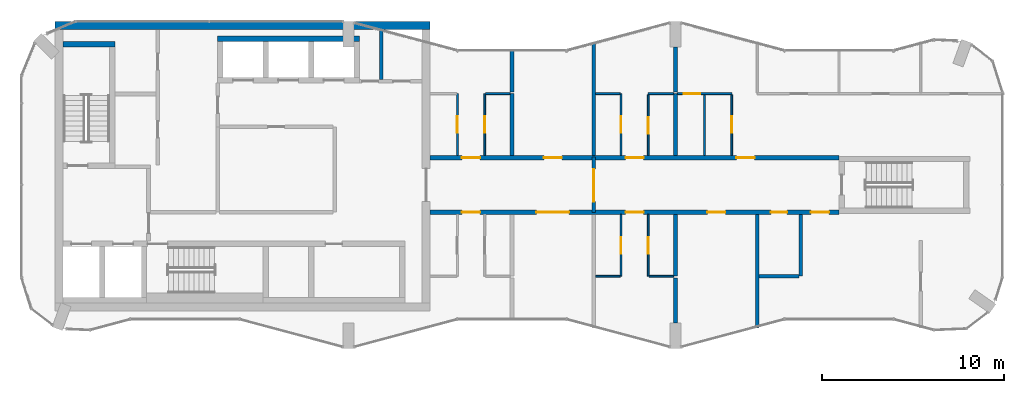
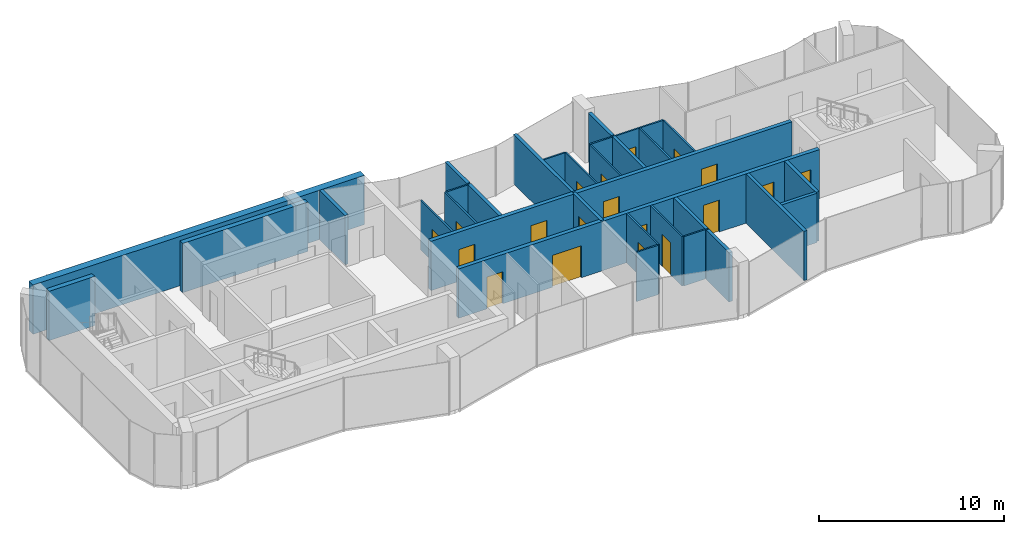
# One storey, part 8 of 10: 31 walls, 19 doors, 19 openings.
"""IFC4 building model written with IfcOpenShell, lengths in metres."""

from ifc_helpers import new_model, si_unit, direction, frame, frame_2d, origin, place, context, subcontext, project, spatial, rectangle, extrude, material, layer, layer_set, type_object, element, fill, save


model = new_model("IFC4")

# Units and contexts
model_context = context("Model", 3, precision=1e-05, world=origin(), true_north=direction((0.0, 1.0)))
body_context = subcontext(model_context, "Body", "Model", "MODEL_VIEW")
ifc_project = project(units=[si_unit("LENGTHUNIT", "METRE"), si_unit("AREAUNIT", "SQUARE_METRE"), si_unit("VOLUMEUNIT", "CUBIC_METRE"), si_unit("PLANEANGLEUNIT", "RADIAN"), si_unit("MASSUNIT", "GRAM", prefix="KILO")], contexts=[model_context])

# Site, building, storey
site_placement = place(None, origin())
site = spatial("IfcSite", under=ifc_project, at=site_placement, CompositionType="ELEMENT")
building_placement = place(site_placement, origin())
building = spatial("IfcBuilding", under=site, at=building_placement, Name="Plateau Cross Towers", CompositionType="ELEMENT")
storey_placement = place(building_placement, frame((0.0, 0.0, 256.39990234375)))
storey = spatial("IfcBuildingStorey", under=building, at=storey_placement, Name="L67", CompositionType="ELEMENT", Elevation=256.39990234375)

# Walls
ifc_material_1 = material(Name="Concrete block, plastered both sides", Category="concrete")
ifc_layer_1 = layer(ifc_material_1, 0.199951171875)
ifc_layer_set_1 = layer_set([ifc_layer_1], Name="Concrete block, plastered both sides")
wall_type_1 = type_object("IfcWallType", Name="Core partition 200", PredefinedType="PARTITIONING", material=ifc_layer_set_1)
wall_1_placement = place(storey_placement, frame((19.800048828125, 14.800048828125, 0.0), z_axis=(0.0, 0.0, 1.0), x_axis=(0.0, 1.0, 0.0)))
element("IfcWall", 1, at=wall_1_placement, inside=storey, type_object=wall_type_1, Name="Core partition", PredefinedType="PARTITIONING", context=body_context, shape_type="SweptSolid", body=[
    extrude(rectangle(XDim=2.75, YDim=0.199951171875, at=frame_2d((1.375, 0.0))), origin(), (0.0, 0.0, 1.0), 3.25),
])
ifc_material_2 = material(Name="Concrete C60/75", Category="concrete")
ifc_layer_2 = layer(ifc_material_2, 0.300048828125)
ifc_layer_set_2 = layer_set([ifc_layer_2], Name="Concrete C60/75")
wall_type_2 = type_object("IfcWallType", Name="Core shaft wall 300", PredefinedType="SHEAR", material=ifc_layer_set_2)
wall_2_placement = place(storey_placement, frame((2.300048828125, 16.75, 0.0), z_axis=(0.0, 0.0, 1.0), x_axis=(1.0, 0.0, 0.0)))
element("IfcWall", 2, at=wall_2_placement, inside=storey, type_object=wall_type_2, Name="A-st1-N@L67", PredefinedType="SHEAR", context=body_context, shape_type="SweptSolid", body=[
    extrude(rectangle(XDim=2.849853515625, YDim=0.300048828125, at=frame_2d((1.4248046875, 0.0))), origin(), (0.0, 0.0, 1.0), 3.25),
])
wall_3_placement = place(storey_placement, frame((10.800048828125, 17.050048828125, 0.0), z_axis=(0.0, 0.0, 1.0), x_axis=(1.0, 0.0, 0.0)))
element("IfcWall", 3, at=wall_3_placement, inside=storey, type_object=wall_type_2, Name="A-nb-back@L67", PredefinedType="SHEAR", context=body_context, shape_type="SweptSolid", body=[
    extrude(rectangle(XDim=7.800048828125, YDim=0.300048828125, at=frame_2d((3.89990234375, 0.0))), origin(), (0.0, 0.0, 1.0), 3.25),
])
ifc_layer_3 = layer(ifc_material_2, 0.449951171875)
ifc_layer_set_3 = layer_set([ifc_layer_3], Name="Concrete C60/75")
wall_type_3 = type_object("IfcWallType", Name="Core shell wall 450", PredefinedType="SHEAR", material=ifc_layer_set_3)
wall_4_placement = place(storey_placement, frame((1.85009765625, 17.77490234375, 0.0), z_axis=(0.0, 0.0, 1.0), x_axis=(1.0, 0.0, 0.0)))
element("IfcWall", 4, at=wall_4_placement, inside=storey, type_object=wall_type_3, Name="A-core-N@L67", PredefinedType="SHEAR", context=body_context, shape_type="SweptSolid", body=[
    extrude(rectangle(XDim=20.64990234375, YDim=0.449951171875, at=frame_2d((10.324951171875, 0.0))), origin(), (0.0, 0.0, 1.0), 3.25),
])

# Wall, openings, doors
ifc_layer_4 = layer(ifc_material_2, 0.25)
ifc_layer_set_4 = layer_set([ifc_layer_4], Name="Concrete C60/75")
wall_type_4 = type_object("IfcWallType", Name="Corridor wall 250", PredefinedType="SHEAR", material=ifc_layer_set_4)
wall_5_placement = place(storey_placement, frame((22.5, 7.5, 0.0), z_axis=(0.0, 0.0, 1.0), x_axis=(1.0, 0.0, 0.0)))
wall_5 = element("IfcWall", 5, at=wall_5_placement, inside=storey, type_object=wall_type_4, Name="A-cw-S1@L67", PredefinedType="SHEAR", context=body_context, shape_type="SweptSolid", body=[
    extrude(rectangle(XDim=22.5, YDim=0.25, at=frame_2d((11.25, 0.0))), origin(), (0.0, 0.0, 1.0), 3.25),
])
opening_1_placement = place(wall_5_placement, frame((1.75, 0.0, 0.0)))
opening_1 = element("IfcOpeningElement", 6, at=opening_1_placement, cuts=wall_5, Name="Opening 67-01", PredefinedType="OPENING", context=body_context, shape_type="SweptSolid", body=[
    extrude(rectangle(XDim=1.0, YDim=2.10009765625, at=frame_2d((0.5, 1.050048828125))), frame((0.0, 0.135009765625, 0.0), z_axis=(0.0, -1.0, 0.0), x_axis=(1.0, 0.0, 0.0)), (0.0, 0.0, 1.0), 0.27001953125),
])
opening_2_placement = place(wall_5_placement, frame((5.85009765625, 0.0, 0.0)))
opening_2 = element("IfcOpeningElement", 7, at=opening_2_placement, cuts=wall_5, Name="Opening 67-02", PredefinedType="OPENING", context=body_context, shape_type="SweptSolid", body=[
    extrude(rectangle(XDim=1.800048828125, YDim=2.10009765625, at=frame_2d((0.89990234375, 1.050048828125))), frame((0.0, 0.135009765625, 0.0), z_axis=(0.0, -1.0, 0.0), x_axis=(1.0, 0.0, 0.0)), (0.0, 0.0, 1.0), 0.27001953125),
])
opening_3_placement = place(wall_5_placement, frame((10.75, 0.0, 0.0)))
opening_3 = element("IfcOpeningElement", 8, at=opening_3_placement, cuts=wall_5, Name="Opening 67-03", PredefinedType="OPENING", context=body_context, shape_type="SweptSolid", body=[
    extrude(rectangle(XDim=1.0, YDim=2.10009765625, at=frame_2d((0.5, 1.050048828125))), frame((0.0, 0.135009765625, 0.0), z_axis=(0.0, -1.0, 0.0), x_axis=(1.0, 0.0, 0.0)), (0.0, 0.0, 1.0), 0.27001953125),
])
opening_4_placement = place(wall_5_placement, frame((15.25, 0.0, 0.0)))
opening_4 = element("IfcOpeningElement", 9, at=opening_4_placement, cuts=wall_5, Name="Opening 67-04", PredefinedType="OPENING", context=body_context, shape_type="SweptSolid", body=[
    extrude(rectangle(XDim=1.0, YDim=2.10009765625, at=frame_2d((0.5, 1.050048828125))), frame((0.0, 0.135009765625, 0.0), z_axis=(0.0, -1.0, 0.0), x_axis=(1.0, 0.0, 0.0)), (0.0, 0.0, 1.0), 0.27001953125),
])
opening_5_placement = place(wall_5_placement, frame((18.75, 0.0, 0.0)))
opening_5 = element("IfcOpeningElement", 10, at=opening_5_placement, cuts=wall_5, Name="Opening 67-05", PredefinedType="OPENING", context=body_context, shape_type="SweptSolid", body=[
    extrude(rectangle(XDim=0.89990234375, YDim=2.10009765625, at=frame_2d((0.449951171875, 1.050048828125))), frame((0.0, 0.135009765625, 0.0), z_axis=(0.0, -1.0, 0.0), x_axis=(1.0, 0.0, 0.0)), (0.0, 0.0, 1.0), 0.27001953125),
])
opening_6_placement = place(wall_5_placement, frame((20.949951171875, 0.0, 0.0)))
opening_6 = element("IfcOpeningElement", 11, at=opening_6_placement, cuts=wall_5, Name="Opening 67-06", PredefinedType="OPENING", context=body_context, shape_type="SweptSolid", body=[
    extrude(rectangle(XDim=1.0, YDim=2.10009765625, at=frame_2d((0.5, 1.050048828125))), frame((0.0, 0.135009765625, 0.0), z_axis=(0.0, -1.0, 0.0), x_axis=(1.0, 0.0, 0.0)), (0.0, 0.0, 1.0), 0.27001953125),
])
ifc_material_3 = material(Name="Timber, fire-resisting leaf", Category="wood")
door_type_1 = type_object("IfcDoorType", Name="Flat entrance door 1000", OperationType="NOTDEFINED", PredefinedType="DOOR", material=ifc_material_3)
door_1_placement = place(opening_1_placement, origin())
door_1 = element("IfcDoor", 12, at=door_1_placement, inside=storey, type_object=door_type_1, Name="Door 67-01", OperationType="SINGLE_SWING_LEFT", OverallHeight=2.10009765625, OverallWidth=1.0, PredefinedType="DOOR", context=body_context, shape_type="SweptSolid", body=[
    extrude(rectangle(XDim=1.0, YDim=2.10009765625, at=frame_2d((0.5, 1.050048828125))), frame((0.0, 0.02490234375, 0.0), z_axis=(0.0, -1.0, 0.0), x_axis=(1.0, 0.0, 0.0)), (0.0, 0.0, 1.0), 0.050048828125),
])
fill(opening_1, door_1)
door_2_placement = place(opening_3_placement, origin())
door_2 = element("IfcDoor", 13, at=door_2_placement, inside=storey, type_object=door_type_1, Name="Door 67-03", OperationType="SINGLE_SWING_LEFT", OverallHeight=2.10009765625, OverallWidth=1.0, PredefinedType="DOOR", context=body_context, shape_type="SweptSolid", body=[
    extrude(rectangle(XDim=1.0, YDim=2.10009765625, at=frame_2d((0.5, 1.050048828125))), frame((0.0, 0.02490234375, 0.0), z_axis=(0.0, -1.0, 0.0), x_axis=(1.0, 0.0, 0.0)), (0.0, 0.0, 1.0), 0.050048828125),
])
fill(opening_3, door_2)
door_3_placement = place(opening_4_placement, origin())
door_3 = element("IfcDoor", 14, at=door_3_placement, inside=storey, type_object=door_type_1, Name="Door 67-04", OperationType="SINGLE_SWING_RIGHT", OverallHeight=2.10009765625, OverallWidth=1.0, PredefinedType="DOOR", context=body_context, shape_type="SweptSolid", body=[
    extrude(rectangle(XDim=1.0, YDim=2.10009765625, at=frame_2d((0.5, 1.050048828125))), frame((0.0, 0.02490234375, 0.0), z_axis=(0.0, -1.0, 0.0), x_axis=(1.0, 0.0, 0.0)), (0.0, 0.0, 1.0), 0.050048828125),
])
fill(opening_4, door_3)
door_4_placement = place(opening_6_placement, origin())
door_4 = element("IfcDoor", 15, at=door_4_placement, inside=storey, type_object=door_type_1, Name="Door 67-06", OperationType="SINGLE_SWING_RIGHT", OverallHeight=2.10009765625, OverallWidth=1.0, PredefinedType="DOOR", context=body_context, shape_type="SweptSolid", body=[
    extrude(rectangle(XDim=1.0, YDim=2.10009765625, at=frame_2d((0.5, 1.050048828125))), frame((0.0, 0.02490234375, 0.0), z_axis=(0.0, -1.0, 0.0), x_axis=(1.0, 0.0, 0.0)), (0.0, 0.0, 1.0), 0.050048828125),
])
fill(opening_6, door_4)
ifc_material_4 = material(Name="Timber, fire-resisting leaves", Category="wood")
door_type_2 = type_object("IfcDoorType", Name="Flat floor fire door pair 1800", OperationType="NOTDEFINED", PredefinedType="DOOR", material=ifc_material_4)
door_5_placement = place(opening_2_placement, origin())
door_5 = element("IfcDoor", 16, at=door_5_placement, inside=storey, type_object=door_type_2, Name="Door 67-02", OperationType="SINGLE_SWING_LEFT", OverallHeight=2.10009765625, OverallWidth=1.800048828125, PredefinedType="DOOR", context=body_context, shape_type="SweptSolid", body=[
    extrude(rectangle(XDim=1.800048828125, YDim=2.10009765625, at=frame_2d((0.89990234375, 1.050048828125))), frame((0.0, 0.02490234375, 0.0), z_axis=(0.0, -1.0, 0.0), x_axis=(1.0, 0.0, 0.0)), (0.0, 0.0, 1.0), 0.050048828125),
])
fill(opening_2, door_5)
door_type_3 = type_object("IfcDoorType", Name="Flat floor service door 900", OperationType="NOTDEFINED", PredefinedType="DOOR", material=ifc_material_3)
door_6_placement = place(opening_5_placement, origin())
door_6 = element("IfcDoor", 17, at=door_6_placement, inside=storey, type_object=door_type_3, Name="Door 67-05", OperationType="SINGLE_SWING_RIGHT", OverallHeight=2.10009765625, OverallWidth=0.89990234375, PredefinedType="DOOR", context=body_context, shape_type="SweptSolid", body=[
    extrude(rectangle(XDim=0.89990234375, YDim=2.10009765625, at=frame_2d((0.449951171875, 1.050048828125))), frame((0.0, 0.02490234375, 0.0), z_axis=(0.0, -1.0, 0.0), x_axis=(1.0, 0.0, 0.0)), (0.0, 0.0, 1.0), 0.050048828125),
])
fill(opening_5, door_6)

wall_6_placement = place(storey_placement, frame((22.5, 10.5, 0.0), z_axis=(0.0, 0.0, 1.0), x_axis=(1.0, 0.0, 0.0)))
wall_6 = element("IfcWall", 18, at=wall_6_placement, inside=storey, type_object=wall_type_4, Name="A-cw-S2@L67", PredefinedType="SHEAR", context=body_context, shape_type="SweptSolid", body=[
    extrude(rectangle(XDim=22.5, YDim=0.25, at=frame_2d((11.25, 0.0))), origin(), (0.0, 0.0, 1.0), 3.25),
])
opening_7_placement = place(wall_6_placement, frame((1.75, 0.0, 0.0)))
opening_7 = element("IfcOpeningElement", 19, at=opening_7_placement, cuts=wall_6, Name="Opening 67-07", PredefinedType="OPENING", context=body_context, shape_type="SweptSolid", body=[
    extrude(rectangle(XDim=1.0, YDim=2.10009765625, at=frame_2d((0.5, 1.050048828125))), frame((0.0, 0.135009765625, 0.0), z_axis=(0.0, -1.0, 0.0), x_axis=(1.0, 0.0, 0.0)), (0.0, 0.0, 1.0), 0.27001953125),
])
opening_8_placement = place(wall_6_placement, frame((6.25, 0.0, 0.0)))
opening_8 = element("IfcOpeningElement", 20, at=opening_8_placement, cuts=wall_6, Name="Opening 67-08", PredefinedType="OPENING", context=body_context, shape_type="SweptSolid", body=[
    extrude(rectangle(XDim=1.0, YDim=2.10009765625, at=frame_2d((0.5, 1.050048828125))), frame((0.0, 0.135009765625, 0.0), z_axis=(0.0, -1.0, 0.0), x_axis=(1.0, 0.0, 0.0)), (0.0, 0.0, 1.0), 0.27001953125),
])
opening_9_placement = place(wall_6_placement, frame((10.75, 0.0, 0.0)))
opening_9 = element("IfcOpeningElement", 21, at=opening_9_placement, cuts=wall_6, Name="Opening 67-09", PredefinedType="OPENING", context=body_context, shape_type="SweptSolid", body=[
    extrude(rectangle(XDim=1.0, YDim=2.10009765625, at=frame_2d((0.5, 1.050048828125))), frame((0.0, 0.135009765625, 0.0), z_axis=(0.0, -1.0, 0.0), x_axis=(1.0, 0.0, 0.0)), (0.0, 0.0, 1.0), 0.27001953125),
])
opening_10_placement = place(wall_6_placement, frame((16.85009765625, 0.0, 0.0)))
opening_10 = element("IfcOpeningElement", 22, at=opening_10_placement, cuts=wall_6, Name="Opening 67-10", PredefinedType="OPENING", context=body_context, shape_type="SweptSolid", body=[
    extrude(rectangle(XDim=1.0, YDim=2.10009765625, at=frame_2d((0.5, 1.050048828125))), frame((0.0, 0.135009765625, 0.0), z_axis=(0.0, -1.0, 0.0), x_axis=(1.0, 0.0, 0.0)), (0.0, 0.0, 1.0), 0.27001953125),
])
door_7_placement = place(opening_7_placement, origin())
door_7 = element("IfcDoor", 23, at=door_7_placement, inside=storey, type_object=door_type_1, Name="Door 67-07", OperationType="SINGLE_SWING_LEFT", OverallHeight=2.10009765625, OverallWidth=1.0, PredefinedType="DOOR", context=body_context, shape_type="SweptSolid", body=[
    extrude(rectangle(XDim=1.0, YDim=2.10009765625, at=frame_2d((0.5, 1.050048828125))), frame((0.0, 0.02490234375, 0.0), z_axis=(0.0, -1.0, 0.0), x_axis=(1.0, 0.0, 0.0)), (0.0, 0.0, 1.0), 0.050048828125),
])
fill(opening_7, door_7)
door_8_placement = place(opening_8_placement, origin())
door_8 = element("IfcDoor", 24, at=door_8_placement, inside=storey, type_object=door_type_1, Name="Door 67-08", OperationType="SINGLE_SWING_LEFT", OverallHeight=2.10009765625, OverallWidth=1.0, PredefinedType="DOOR", context=body_context, shape_type="SweptSolid", body=[
    extrude(rectangle(XDim=1.0, YDim=2.10009765625, at=frame_2d((0.5, 1.050048828125))), frame((0.0, 0.02490234375, 0.0), z_axis=(0.0, -1.0, 0.0), x_axis=(1.0, 0.0, 0.0)), (0.0, 0.0, 1.0), 0.050048828125),
])
fill(opening_8, door_8)
door_9_placement = place(opening_9_placement, origin())
door_9 = element("IfcDoor", 25, at=door_9_placement, inside=storey, type_object=door_type_1, Name="Door 67-09", OperationType="SINGLE_SWING_LEFT", OverallHeight=2.10009765625, OverallWidth=1.0, PredefinedType="DOOR", context=body_context, shape_type="SweptSolid", body=[
    extrude(rectangle(XDim=1.0, YDim=2.10009765625, at=frame_2d((0.5, 1.050048828125))), frame((0.0, 0.02490234375, 0.0), z_axis=(0.0, -1.0, 0.0), x_axis=(1.0, 0.0, 0.0)), (0.0, 0.0, 1.0), 0.050048828125),
])
fill(opening_9, door_9)
door_10_placement = place(opening_10_placement, origin())
door_10 = element("IfcDoor", 26, at=door_10_placement, inside=storey, type_object=door_type_1, Name="Door 67-10", OperationType="SINGLE_SWING_RIGHT", OverallHeight=2.10009765625, OverallWidth=1.0, PredefinedType="DOOR", context=body_context, shape_type="SweptSolid", body=[
    extrude(rectangle(XDim=1.0, YDim=2.10009765625, at=frame_2d((0.5, 1.050048828125))), frame((0.0, 0.02490234375, 0.0), z_axis=(0.0, -1.0, 0.0), x_axis=(1.0, 0.0, 0.0)), (0.0, 0.0, 1.0), 0.050048828125),
])
fill(opening_10, door_10)

# Walls
ifc_material_5 = material(Name="Gypsum board on steel studs", Category="steel")
ifc_layer_5 = layer(ifc_material_5, 0.10009765625)
ifc_layer_set_5 = layer_set([ifc_layer_5], Name="Gypsum board on steel studs")
wall_type_5 = type_object("IfcWallType", Name="Flat partition 100", PredefinedType="PARTITIONING", material=ifc_layer_set_5)
for number, where, z_axis, x_axis, name in (
    (27, (31.60009765625, 3.97509765625, 0.0), (0.0, 0.0, 1.0), (1.0, 0.0, 0.0), "Partition wall"),
    (28, (34.550048828125, 3.97509765625, 0.0), (0.0, 0.0, 1.0), (1.0, 0.0, 0.0), "Partition wall"),
    (29, (26.89990234375, 14.02490234375, 0.0), (0.0, 0.0, 1.0), (-1.0, 0.0, 0.0), "Partition wall"),
    (30, (32.949951171875, 14.02490234375, 0.0), (0.0, 0.0, 1.0), (-1.0, 0.0, 0.0), "Partition wall"),
):
    element("IfcWall", number, at=place(storey_placement, frame(where, z_axis=z_axis, x_axis=x_axis)), inside=storey, type_object=wall_type_5, Name=name, PredefinedType="PARTITIONING", context=body_context, shape_type="SweptSolid", body=[
        extrude(rectangle(XDim=1.349853515625, YDim=0.10009765625, at=frame_2d((0.6748046875, 0.0))), origin(), (0.0, 0.0, 1.0), 3.25),
    ])
wall_7_placement = place(storey_placement, frame((35.89990234375, 14.02490234375, 0.0), z_axis=(0.0, 0.0, 1.0), x_axis=(-1.0, 0.0, 0.0)))
element("IfcWall", 31, at=wall_7_placement, inside=storey, type_object=wall_type_5, Name="Partition wall", PredefinedType="PARTITIONING", context=body_context, shape_type="SweptSolid", body=[
    extrude(rectangle(XDim=1.39990234375, YDim=0.10009765625, at=frame_2d((0.699951171875, 0.0))), origin(), (0.0, 0.0, 1.0), 3.25),
])

# Wall, opening, door
wall_8_placement = place(storey_placement, frame((39.10009765625, 14.02490234375, 0.0), z_axis=(0.0, 0.0, 1.0), x_axis=(-1.0, 0.0, 0.0)))
wall_8 = element("IfcWall", 32, at=wall_8_placement, inside=storey, type_object=wall_type_5, Name="Partition wall", PredefinedType="PARTITIONING", context=body_context, shape_type="SweptSolid", body=[
    extrude(rectangle(XDim=3.0, YDim=0.10009765625, at=frame_2d((1.5, 0.0))), origin(), (0.0, 0.0, 1.0), 3.25),
])
opening_11_placement = place(wall_8_placement, frame((1.75, 0.0, 0.0)))
opening_11 = element("IfcOpeningElement", 33, at=opening_11_placement, cuts=wall_8, Name="Opening 67-21", PredefinedType="OPENING", context=body_context, shape_type="SweptSolid", body=[
    extrude(rectangle(XDim=0.89990234375, YDim=2.10009765625, at=frame_2d((0.449951171875, 1.050048828125))), frame((0.0, 0.06005859375, 0.0), z_axis=(0.0, -1.0, 0.0), x_axis=(1.0, 0.0, 0.0)), (0.0, 0.0, 1.0), 0.1201171875),
])
ifc_material_6 = material(Name="Timber leaf", Category="wood")
door_type_4 = type_object("IfcDoorType", Name="Flat room door 900", OperationType="NOTDEFINED", PredefinedType="DOOR", material=ifc_material_6)
door_11_placement = place(opening_11_placement, origin())
door_11 = element("IfcDoor", 34, at=door_11_placement, inside=storey, type_object=door_type_4, Name="Door 67-21", OperationType="SINGLE_SWING_RIGHT", OverallHeight=2.10009765625, OverallWidth=0.89990234375, PredefinedType="DOOR", context=body_context, shape_type="SweptSolid", body=[
    extrude(rectangle(XDim=0.89990234375, YDim=2.10009765625, at=frame_2d((0.449951171875, 1.050048828125))), frame((0.0, 0.02490234375, 0.0), z_axis=(0.0, -1.0, 0.0), x_axis=(1.0, 0.0, 0.0)), (0.0, 0.0, 1.0), 0.050048828125),
])
fill(opening_11, door_11)

wall_9_placement = place(storey_placement, frame((24.0, 10.625, 0.0), z_axis=(0.0, 0.0, 1.0), x_axis=(0.0, 1.0, 0.0)))
wall_9 = element("IfcWall", 35, at=wall_9_placement, inside=storey, type_object=wall_type_5, Name="Partition wall", PredefinedType="PARTITIONING", context=body_context, shape_type="SweptSolid", body=[
    extrude(rectangle(XDim=3.39990234375, YDim=0.10009765625, at=frame_2d((1.699951171875, 0.0))), origin(), (0.0, 0.0, 1.0), 3.25),
])
opening_12_placement = place(wall_9_placement, frame((1.25, 0.0, 0.0)))
opening_12 = element("IfcOpeningElement", 36, at=opening_12_placement, cuts=wall_9, Name="Opening 67-17", PredefinedType="OPENING", context=body_context, shape_type="SweptSolid", body=[
    extrude(rectangle(XDim=0.89990234375, YDim=2.10009765625, at=frame_2d((0.449951171875, 1.050048828125))), frame((0.0, 0.06005859375, 0.0), z_axis=(0.0, -1.0, 0.0), x_axis=(1.0, 0.0, 0.0)), (0.0, 0.0, 1.0), 0.1201171875),
])
door_12_placement = place(opening_12_placement, origin())
door_12 = element("IfcDoor", 37, at=door_12_placement, inside=storey, type_object=door_type_4, Name="Door 67-17", OperationType="SINGLE_SWING_LEFT", OverallHeight=2.10009765625, OverallWidth=0.89990234375, PredefinedType="DOOR", context=body_context, shape_type="SweptSolid", body=[
    extrude(rectangle(XDim=0.89990234375, YDim=2.10009765625, at=frame_2d((0.449951171875, 1.050048828125))), frame((0.0, 0.02490234375, 0.0), z_axis=(0.0, -1.0, 0.0), x_axis=(1.0, 0.0, 0.0)), (0.0, 0.0, 1.0), 0.050048828125),
])
fill(opening_12, door_12)

wall_10_placement = place(storey_placement, frame((25.5, 14.02490234375, 0.0), z_axis=(0.0, 0.0, 1.0), x_axis=(0.0, -1.0, 0.0)))
wall_10 = element("IfcWall", 38, at=wall_10_placement, inside=storey, type_object=wall_type_5, Name="Partition wall", PredefinedType="PARTITIONING", context=body_context, shape_type="SweptSolid", body=[
    extrude(rectangle(XDim=3.39990234375, YDim=0.10009765625, at=frame_2d((1.699951171875, 0.0))), origin(), (0.0, 0.0, 1.0), 3.25),
])
opening_13_placement = place(wall_10_placement, frame((1.25, 0.0, 0.0)))
opening_13 = element("IfcOpeningElement", 39, at=opening_13_placement, cuts=wall_10, Name="Opening 67-18", PredefinedType="OPENING", context=body_context, shape_type="SweptSolid", body=[
    extrude(rectangle(XDim=0.89990234375, YDim=2.10009765625, at=frame_2d((0.449951171875, 1.050048828125))), frame((0.0, 0.06005859375, 0.0), z_axis=(0.0, -1.0, 0.0), x_axis=(1.0, 0.0, 0.0)), (0.0, 0.0, 1.0), 0.1201171875),
])
door_13_placement = place(opening_13_placement, origin())
door_13 = element("IfcDoor", 40, at=door_13_placement, inside=storey, type_object=door_type_4, Name="Door 67-18", OperationType="SINGLE_SWING_LEFT", OverallHeight=2.10009765625, OverallWidth=0.89990234375, PredefinedType="DOOR", context=body_context, shape_type="SweptSolid", body=[
    extrude(rectangle(XDim=0.89990234375, YDim=2.10009765625, at=frame_2d((0.449951171875, 1.050048828125))), frame((0.0, 0.02490234375, 0.0), z_axis=(0.0, -1.0, 0.0), x_axis=(1.0, 0.0, 0.0)), (0.0, 0.0, 1.0), 0.050048828125),
])
fill(opening_13, door_13)

wall_11_placement = place(storey_placement, frame((33.0, 3.97509765625, 0.0), z_axis=(0.0, 0.0, 1.0), x_axis=(0.0, 1.0, 0.0)))
wall_11 = element("IfcWall", 41, at=wall_11_placement, inside=storey, type_object=wall_type_5, Name="Partition wall", PredefinedType="PARTITIONING", context=body_context, shape_type="SweptSolid", body=[
    extrude(rectangle(XDim=3.39990234375, YDim=0.10009765625, at=frame_2d((1.699951171875, 0.0))), origin(), (0.0, 0.0, 1.0), 3.25),
])
opening_14_placement = place(wall_11_placement, frame((1.25, 0.0, 0.0)))
opening_14 = element("IfcOpeningElement", 42, at=opening_14_placement, cuts=wall_11, Name="Opening 67-15", PredefinedType="OPENING", context=body_context, shape_type="SweptSolid", body=[
    extrude(rectangle(XDim=0.89990234375, YDim=2.10009765625, at=frame_2d((0.449951171875, 1.050048828125))), frame((0.0, 0.06005859375, 0.0), z_axis=(0.0, -1.0, 0.0), x_axis=(1.0, 0.0, 0.0)), (0.0, 0.0, 1.0), 0.1201171875),
])
door_14_placement = place(opening_14_placement, origin())
door_14 = element("IfcDoor", 43, at=door_14_placement, inside=storey, type_object=door_type_4, Name="Door 67-15", OperationType="SINGLE_SWING_LEFT", OverallHeight=2.10009765625, OverallWidth=0.89990234375, PredefinedType="DOOR", context=body_context, shape_type="SweptSolid", body=[
    extrude(rectangle(XDim=0.89990234375, YDim=2.10009765625, at=frame_2d((0.449951171875, 1.050048828125))), frame((0.0, 0.02490234375, 0.0), z_axis=(0.0, -1.0, 0.0), x_axis=(1.0, 0.0, 0.0)), (0.0, 0.0, 1.0), 0.050048828125),
])
fill(opening_14, door_14)

wall_12_placement = place(storey_placement, frame((33.0, 10.625, 0.0), z_axis=(0.0, 0.0, 1.0), x_axis=(0.0, 1.0, 0.0)))
wall_12 = element("IfcWall", 44, at=wall_12_placement, inside=storey, type_object=wall_type_5, Name="Partition wall", PredefinedType="PARTITIONING", context=body_context, shape_type="SweptSolid", body=[
    extrude(rectangle(XDim=3.39990234375, YDim=0.10009765625, at=frame_2d((1.699951171875, 0.0))), origin(), (0.0, 0.0, 1.0), 3.25),
])
opening_15_placement = place(wall_12_placement, frame((1.25, 0.0, 0.0)))
opening_15 = element("IfcOpeningElement", 45, at=opening_15_placement, cuts=wall_12, Name="Opening 67-19", PredefinedType="OPENING", context=body_context, shape_type="SweptSolid", body=[
    extrude(rectangle(XDim=0.89990234375, YDim=2.10009765625, at=frame_2d((0.449951171875, 1.050048828125))), frame((0.0, 0.06005859375, 0.0), z_axis=(0.0, -1.0, 0.0), x_axis=(1.0, 0.0, 0.0)), (0.0, 0.0, 1.0), 0.1201171875),
])
door_15_placement = place(opening_15_placement, origin())
door_15 = element("IfcDoor", 46, at=door_15_placement, inside=storey, type_object=door_type_4, Name="Door 67-19", OperationType="SINGLE_SWING_LEFT", OverallHeight=2.10009765625, OverallWidth=0.89990234375, PredefinedType="DOOR", context=body_context, shape_type="SweptSolid", body=[
    extrude(rectangle(XDim=0.89990234375, YDim=2.10009765625, at=frame_2d((0.449951171875, 1.050048828125))), frame((0.0, 0.02490234375, 0.0), z_axis=(0.0, -1.0, 0.0), x_axis=(1.0, 0.0, 0.0)), (0.0, 0.0, 1.0), 0.050048828125),
])
fill(opening_15, door_15)

wall_13_placement = place(storey_placement, frame((34.5, 7.375, 0.0), z_axis=(0.0, 0.0, 1.0), x_axis=(0.0, -1.0, 0.0)))
wall_13 = element("IfcWall", 47, at=wall_13_placement, inside=storey, type_object=wall_type_5, Name="Partition wall", PredefinedType="PARTITIONING", context=body_context, shape_type="SweptSolid", body=[
    extrude(rectangle(XDim=3.39990234375, YDim=0.10009765625, at=frame_2d((1.699951171875, 0.0))), origin(), (0.0, 0.0, 1.0), 3.25),
])
opening_16_placement = place(wall_13_placement, frame((1.25, 0.0, 0.0)))
opening_16 = element("IfcOpeningElement", 48, at=opening_16_placement, cuts=wall_13, Name="Opening 67-16", PredefinedType="OPENING", context=body_context, shape_type="SweptSolid", body=[
    extrude(rectangle(XDim=0.89990234375, YDim=2.10009765625, at=frame_2d((0.449951171875, 1.050048828125))), frame((0.0, 0.06005859375, 0.0), z_axis=(0.0, -1.0, 0.0), x_axis=(1.0, 0.0, 0.0)), (0.0, 0.0, 1.0), 0.1201171875),
])
door_16_placement = place(opening_16_placement, origin())
door_16 = element("IfcDoor", 49, at=door_16_placement, inside=storey, type_object=door_type_4, Name="Door 67-16", OperationType="SINGLE_SWING_LEFT", OverallHeight=2.10009765625, OverallWidth=0.89990234375, PredefinedType="DOOR", context=body_context, shape_type="SweptSolid", body=[
    extrude(rectangle(XDim=0.89990234375, YDim=2.10009765625, at=frame_2d((0.449951171875, 1.050048828125))), frame((0.0, 0.02490234375, 0.0), z_axis=(0.0, -1.0, 0.0), x_axis=(1.0, 0.0, 0.0)), (0.0, 0.0, 1.0), 0.050048828125),
])
fill(opening_16, door_16)

wall_14_placement = place(storey_placement, frame((34.5, 13.97509765625, 0.0), z_axis=(0.0, 0.0, 1.0), x_axis=(0.0, -1.0, 0.0)))
wall_14 = element("IfcWall", 50, at=wall_14_placement, inside=storey, type_object=wall_type_5, Name="Partition wall", PredefinedType="PARTITIONING", context=body_context, shape_type="SweptSolid", body=[
    extrude(rectangle(XDim=3.35009765625, YDim=0.10009765625, at=frame_2d((1.675048828125, 0.0))), origin(), (0.0, 0.0, 1.0), 3.25),
])
opening_17_placement = place(wall_14_placement, frame((1.25, 0.0, 0.0)))
opening_17 = element("IfcOpeningElement", 51, at=opening_17_placement, cuts=wall_14, Name="Opening 67-20", PredefinedType="OPENING", context=body_context, shape_type="SweptSolid", body=[
    extrude(rectangle(XDim=0.89990234375, YDim=2.10009765625, at=frame_2d((0.449951171875, 1.050048828125))), frame((0.0, 0.06005859375, 0.0), z_axis=(0.0, -1.0, 0.0), x_axis=(1.0, 0.0, 0.0)), (0.0, 0.0, 1.0), 0.1201171875),
])
door_17_placement = place(opening_17_placement, origin())
door_17 = element("IfcDoor", 52, at=door_17_placement, inside=storey, type_object=door_type_4, Name="Door 67-20", OperationType="SINGLE_SWING_RIGHT", OverallHeight=2.10009765625, OverallWidth=0.89990234375, PredefinedType="DOOR", context=body_context, shape_type="SweptSolid", body=[
    extrude(rectangle(XDim=0.89990234375, YDim=2.10009765625, at=frame_2d((0.449951171875, 1.050048828125))), frame((0.0, 0.02490234375, 0.0), z_axis=(0.0, -1.0, 0.0), x_axis=(1.0, 0.0, 0.0)), (0.0, 0.0, 1.0), 0.050048828125),
])
fill(opening_17, door_17)

# Wall
wall_15_placement = place(storey_placement, frame((37.60009765625, 10.625, 0.0), z_axis=(0.0, 0.0, 1.0), x_axis=(0.0, 1.0, 0.0)))
element("IfcWall", 53, at=wall_15_placement, inside=storey, type_object=wall_type_5, Name="Partition wall", PredefinedType="PARTITIONING", context=body_context, shape_type="SweptSolid", body=[
    extrude(rectangle(XDim=3.35009765625, YDim=0.10009765625, at=frame_2d((1.675048828125, 0.0))), origin(), (0.0, 0.0, 1.0), 3.25),
])

# Wall, opening, door
wall_16_placement = place(storey_placement, frame((39.10009765625, 10.625, 0.0), z_axis=(0.0, 0.0, 1.0), x_axis=(0.0, 1.0, 0.0)))
wall_16 = element("IfcWall", 54, at=wall_16_placement, inside=storey, type_object=wall_type_5, Name="Partition wall", PredefinedType="PARTITIONING", context=body_context, shape_type="SweptSolid", body=[
    extrude(rectangle(XDim=3.35009765625, YDim=0.10009765625, at=frame_2d((1.675048828125, 0.0))), origin(), (0.0, 0.0, 1.0), 3.25),
])
opening_18_placement = place(wall_16_placement, frame((1.25, 0.0, 0.0)))
opening_18 = element("IfcOpeningElement", 55, at=opening_18_placement, cuts=wall_16, Name="Opening 67-22", PredefinedType="OPENING", context=body_context, shape_type="SweptSolid", body=[
    extrude(rectangle(XDim=0.89990234375, YDim=2.10009765625, at=frame_2d((0.449951171875, 1.050048828125))), frame((0.0, 0.06005859375, 0.0), z_axis=(0.0, -1.0, 0.0), x_axis=(1.0, 0.0, 0.0)), (0.0, 0.0, 1.0), 0.1201171875),
])
door_18_placement = place(opening_18_placement, origin())
door_18 = element("IfcDoor", 56, at=door_18_placement, inside=storey, type_object=door_type_4, Name="Door 67-22", OperationType="SINGLE_SWING_RIGHT", OverallHeight=2.10009765625, OverallWidth=0.89990234375, PredefinedType="DOOR", context=body_context, shape_type="SweptSolid", body=[
    extrude(rectangle(XDim=0.89990234375, YDim=2.10009765625, at=frame_2d((0.449951171875, 1.050048828125))), frame((0.0, 0.02490234375, 0.0), z_axis=(0.0, -1.0, 0.0), x_axis=(1.0, 0.0, 0.0)), (0.0, 0.0, 1.0), 0.050048828125),
])
fill(opening_18, door_18)

# Walls
ifc_material_7 = material(Name="Gypsum board on steel studs, two layers each side", Category="steel")
ifc_layer_6 = layer(ifc_material_7, 0.199951171875)
ifc_layer_set_6 = layer_set([ifc_layer_6], Name="Gypsum board on steel studs, two layers each side")
wall_type_6 = type_object("IfcWallType", Name="Flat party wall 200", PredefinedType="PARTITIONING", material=ifc_layer_set_6)
wall_17_placement = place(storey_placement, frame((40.60009765625, 3.97509765625, 0.0), z_axis=(0.0, 0.0, 1.0), x_axis=(1.0, 0.0, 0.0)))
element("IfcWall", 57, at=wall_17_placement, inside=storey, type_object=wall_type_6, Name="Party wall", PredefinedType="PARTITIONING", context=body_context, shape_type="SweptSolid", body=[
    extrude(rectangle(XDim=2.199951171875, YDim=0.199951171875, at=frame_2d((1.10009765625, 0.0))), origin(), (0.0, 0.0, 1.0), 3.25),
])
wall_18_placement = place(storey_placement, frame((27.0, 16.47314453125, 0.0), z_axis=(0.0, 0.0, 1.0), x_axis=(0.0, -1.0, 0.0)))
element("IfcWall", 58, at=wall_18_placement, inside=storey, type_object=wall_type_6, Name="Party wall", PredefinedType="PARTITIONING", context=body_context, shape_type="SweptSolid", body=[
    extrude(rectangle(XDim=2.34814453125, YDim=0.199951171875, at=frame_2d((1.174072265625, 0.0))), origin(), (0.0, 0.0, 1.0), 3.25),
])
wall_19_placement = place(storey_placement, frame((27.0, 10.625, 0.0), z_axis=(0.0, 0.0, 1.0), x_axis=(0.0, 1.0, 0.0)))
element("IfcWall", 59, at=wall_19_placement, inside=storey, type_object=wall_type_6, Name="Party wall", PredefinedType="PARTITIONING", context=body_context, shape_type="SweptSolid", body=[
    extrude(rectangle(XDim=3.39990234375, YDim=0.199951171875, at=frame_2d((1.699951171875, 0.0))), origin(), (0.0, 0.0, 1.0), 3.25),
])
wall_20_placement = place(storey_placement, frame((31.5, 10.625, 0.0), z_axis=(0.0, 0.0, 1.0), x_axis=(0.0, 1.0, 0.0)))
element("IfcWall", 60, at=wall_20_placement, inside=storey, type_object=wall_type_6, Name="Party wall", PredefinedType="PARTITIONING", context=body_context, shape_type="SweptSolid", body=[
    extrude(rectangle(XDim=6.252685546875, YDim=0.199951171875, at=frame_2d((3.12646484375, 0.0))), origin(), (0.0, 0.0, 1.0), 3.25),
])
for number, where, z_axis, x_axis, name in (
    (61, (36.0, 3.875, 0.0), (0.0, 0.0, 1.0), (0.0, -1.0, 0.0), "Party wall"),
    (62, (36.0, 16.60009765625, 0.0), (0.0, 0.0, 1.0), (0.0, -1.0, 0.0), "Party wall"),
):
    element("IfcWall", number, at=place(storey_placement, frame(where, z_axis=z_axis, x_axis=x_axis)), inside=storey, type_object=wall_type_6, Name=name, PredefinedType="PARTITIONING", context=body_context, shape_type="SweptSolid", body=[
        extrude(rectangle(XDim=2.47509765625, YDim=0.199951171875, at=frame_2d((1.237548828125, 0.0))), origin(), (0.0, 0.0, 1.0), 3.25),
    ])
for number, where, z_axis, x_axis, name in (
    (63, (36.0, 3.97509765625, 0.0), (0.0, 0.0, 1.0), (0.0, 1.0, 0.0), "Party wall"),
    (64, (36.0, 10.625, 0.0), (0.0, 0.0, 1.0), (0.0, 1.0, 0.0), "Party wall"),
):
    element("IfcWall", number, at=place(storey_placement, frame(where, z_axis=z_axis, x_axis=x_axis)), inside=storey, type_object=wall_type_6, Name=name, PredefinedType="PARTITIONING", context=body_context, shape_type="SweptSolid", body=[
        extrude(rectangle(XDim=3.39990234375, YDim=0.199951171875, at=frame_2d((1.699951171875, 0.0))), origin(), (0.0, 0.0, 1.0), 3.25),
    ])
wall_21_placement = place(storey_placement, frame((40.5, 1.122314453125, 0.0), z_axis=(0.0, 0.0, 1.0), x_axis=(0.0, 1.0, 0.0)))
element("IfcWall", 65, at=wall_21_placement, inside=storey, type_object=wall_type_6, Name="Party wall", PredefinedType="PARTITIONING", context=body_context, shape_type="SweptSolid", body=[
    extrude(rectangle(XDim=6.252685546875, YDim=0.199951171875, at=frame_2d((3.12646484375, 0.0))), origin(), (0.0, 0.0, 1.0), 3.25),
])
wall_22_placement = place(storey_placement, frame((42.89990234375, 3.97509765625, 0.0), z_axis=(0.0, 0.0, 1.0), x_axis=(0.0, 1.0, 0.0)))
element("IfcWall", 66, at=wall_22_placement, inside=storey, type_object=wall_type_6, Name="Party wall", PredefinedType="PARTITIONING", context=body_context, shape_type="SweptSolid", body=[
    extrude(rectangle(XDim=3.39990234375, YDim=0.199951171875, at=frame_2d((1.699951171875, 0.0))), origin(), (0.0, 0.0, 1.0), 3.25),
])

# Wall, opening, door
wall_23_placement = place(storey_placement, frame((31.5, 7.47509765625, 0.0), z_axis=(0.0, 0.0, 1.0), x_axis=(0.0, 1.0, 0.0)))
wall_23 = element("IfcWall", 67, at=wall_23_placement, inside=storey, type_object=wall_type_6, Name="Party wall", PredefinedType="PARTITIONING", context=body_context, shape_type="SweptSolid", body=[
    extrude(rectangle(XDim=3.0498046875, YDim=0.199951171875, at=frame_2d((1.52490234375, 0.0))), origin(), (0.0, 0.0, 1.0), 3.25),
])
opening_19_placement = place(wall_23_placement, frame((0.60009765625, 0.0, 0.0)))
opening_19 = element("IfcOpeningElement", 68, at=opening_19_placement, cuts=wall_23, Name="Opening 67-11", PredefinedType="OPENING", context=body_context, shape_type="SweptSolid", body=[
    extrude(rectangle(XDim=1.800048828125, YDim=2.10009765625, at=frame_2d((0.89990234375, 1.050048828125))), frame((0.0, 0.10986328125, 0.0), z_axis=(0.0, -1.0, 0.0), x_axis=(1.0, 0.0, 0.0)), (0.0, 0.0, 1.0), 0.219970703125),
])
door_19_placement = place(opening_19_placement, origin())
door_19 = element("IfcDoor", 69, at=door_19_placement, inside=storey, type_object=door_type_2, Name="Door 67-11", OperationType="SINGLE_SWING_LEFT", OverallHeight=2.10009765625, OverallWidth=1.800048828125, PredefinedType="DOOR", context=body_context, shape_type="SweptSolid", body=[
    extrude(rectangle(XDim=1.800048828125, YDim=2.10009765625, at=frame_2d((0.89990234375, 1.050048828125))), frame((0.0, 0.02490234375, 0.0), z_axis=(0.0, -1.0, 0.0), x_axis=(1.0, 0.0, 0.0)), (0.0, 0.0, 1.0), 0.050048828125),
])
fill(opening_19, door_19)

save(model, "model.ifc")
